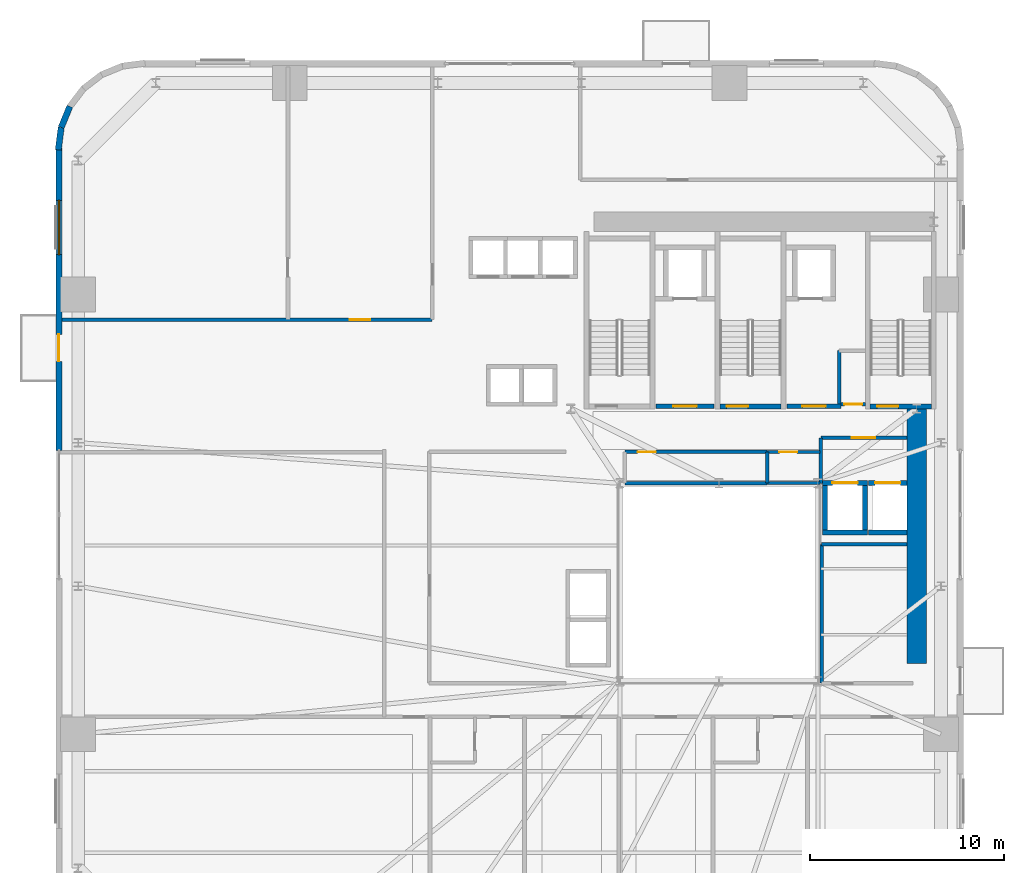
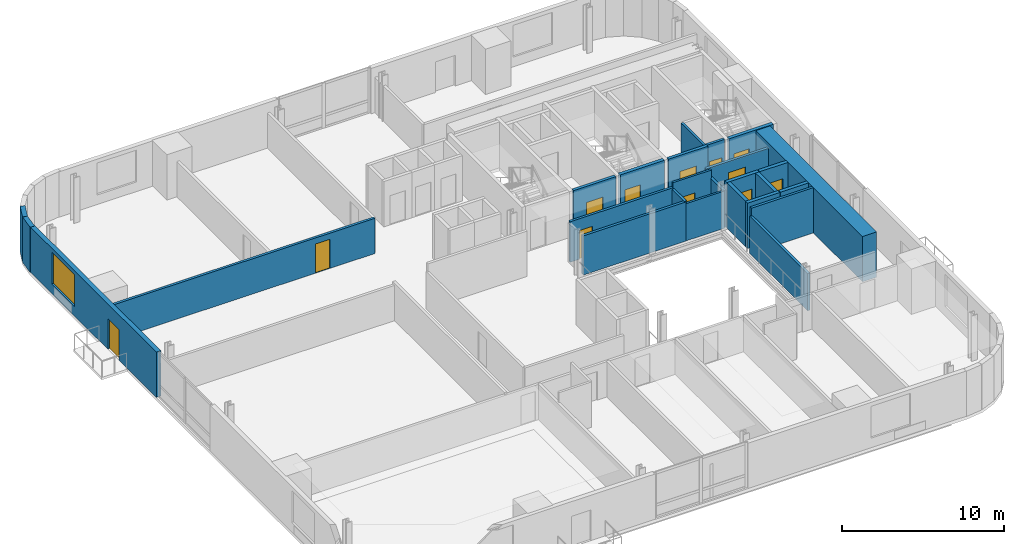
# One storey, part 7 of 13: 26 walls, 12 doors, 1 window, 13 openings.
"""IFC4 building model written with IfcOpenShell, lengths in metres."""

from ifc_helpers import new_model, si_unit, direction, frame, frame_2d, origin, place, context, subcontext, project, spatial, rectangle, extrude, source, transform, mapped, material, layer, layer_set, type_object, element, fill, save


model = new_model("IFC4")

# Units and contexts
model_context = context("Model", 3, precision=1e-05, world=origin(), true_north=direction((0.0, 1.0)))
body_context = subcontext(model_context, "Body", "Model", "MODEL_VIEW")
ifc_project = project(units=[si_unit("LENGTHUNIT", "METRE"), si_unit("AREAUNIT", "SQUARE_METRE"), si_unit("VOLUMEUNIT", "CUBIC_METRE"), si_unit("PLANEANGLEUNIT", "RADIAN"), si_unit("MASSUNIT", "GRAM", prefix="KILO")], contexts=[model_context])

# Site, building, storey
site_placement = place(None, origin())
site = spatial("IfcSite", under=ifc_project, at=site_placement, CompositionType="ELEMENT")
building_placement = place(site_placement, origin())
building = spatial("IfcBuilding", under=site, at=building_placement, Name="Vardaveli Station Tower", CompositionType="ELEMENT")
storey_placement = place(building_placement, frame((0.0, 0.0, 49.5)))
storey = spatial("IfcBuildingStorey", under=building, at=storey_placement, Name="L12", CompositionType="ELEMENT", Elevation=49.5)

# Wall
ifc_material_1 = material(Name="Concrete C60/75", Category="concrete")
ifc_layer_1 = layer(ifc_material_1, 1.0, Name="Concrete C60/75")
ifc_layer_set_1 = layer_set([ifc_layer_1], Name="Concrete C60/75")
wall_type_1 = type_object("IfcWallType", Name="WAL-CORE-1000", PredefinedType="SHEAR", material=ifc_layer_set_1)
shared_shape_1 = source(origin(), body_context, "Body", "SweptSolid", [
    extrude(rectangle(XDim=13.14990234375, YDim=1.0, at=frame_2d((6.574951171875, 0.0))), origin(), (0.0, 0.0, 1.0), 3.409912109375),
])
wall_1_placement = place(storey_placement, frame((46.5, 17.5, 0.0), z_axis=(0.0, 0.0, 1.0), x_axis=(0.0, 1.0, 0.0)))
element("IfcWall", 1, at=wall_1_placement, inside=storey, type_object=wall_type_1, Name="SW-L12-EAST2", PredefinedType="SHEAR", context=body_context, shape_type="MappedRepresentation", body=[
    mapped(shared_shape_1, transform((0.0, 0.0, 0.0), scale=1.0)),
])

# Wall, openings, door, window
ifc_material_2 = material(Name="Precast concrete C45/55", Category="concrete")
ifc_layer_2 = layer(ifc_material_2, 0.320068359375, Name="Precast concrete C45/55")
ifc_layer_set_2 = layer_set([ifc_layer_2], Name="Precast concrete C45/55")
wall_type_2 = type_object("IfcWallType", Name="WAL-EXT-STONE-320", PredefinedType="SOLIDWALL", material=ifc_layer_set_2)
shared_shape_2 = source(origin(), body_context, "Body", "SweptSolid", [
    extrude(rectangle(XDim=15.60009765625, YDim=0.320068359375, at=frame_2d((7.800048828125, 0.0))), origin(), (0.0, 0.0, 1.0), 3.409912109375),
])
wall_2_placement = place(storey_placement, frame((2.260009765625, 44.10009765625, 0.0), z_axis=(0.0, 0.0, 1.0), x_axis=(0.0, -1.0, 0.0)))
wall_2 = element("IfcWall", 2, at=wall_2_placement, inside=storey, type_object=wall_type_2, Name="EW-L12-W1", PredefinedType="SOLIDWALL", context=body_context, shape_type="MappedRepresentation", body=[
    mapped(shared_shape_2, transform((0.0, 0.0, 0.0), scale=1.0)),
])
shared_shape_3 = source(origin(), body_context, "Body", "SweptSolid", [
    extrude(rectangle(XDim=1.39990234375, YDim=2.300048828125, at=frame_2d((0.699951171875, 1.14990234375))), frame((0.0, 0.169921875, 0.0), z_axis=(0.0, -1.0, 0.0), x_axis=(1.0, 0.0, 0.0)), (0.0, 0.0, 1.0), 0.340087890625),
])
opening_1_placement = place(wall_2_placement, frame((9.6103515625, 0.0, 0.0)))
opening_1 = element("IfcOpeningElement", 3, at=opening_1_placement, cuts=wall_2, Name="Opening D-09", PredefinedType="OPENING", context=body_context, shape_type="MappedRepresentation", body=[
    mapped(shared_shape_3, transform((0.0, 0.0, 0.0), scale=1.0)),
])
shared_shape_4 = source(origin(), body_context, "Body", "SweptSolid", [
    extrude(rectangle(XDim=2.800048828125, YDim=2.39990234375, at=frame_2d((1.39990234375, 1.199951171875))), frame((0.0, 0.169921875, 0.0), z_axis=(0.0, -1.0, 0.0), x_axis=(1.0, 0.0, 0.0)), (0.0, 0.0, 1.0), 0.340087890625),
])
opening_2_placement = place(wall_2_placement, frame((2.705078125, 0.0, 0.719970703125)))
opening_2 = element("IfcOpeningElement", 4, at=opening_2_placement, cuts=wall_2, Name="Opening W-04", PredefinedType="OPENING", context=body_context, shape_type="MappedRepresentation", body=[
    mapped(shared_shape_4, transform((0.0, 0.0, 0.0), scale=1.0)),
])
ifc_material_3 = material(Name="Thermally broken aluminium glass", Category="aluminium")
door_type_1 = type_object("IfcDoorType", Name="DR-LOG-1400x2300", OperationType="DOUBLE_DOOR_SLIDING", PredefinedType="DOOR", material=ifc_material_3)
shared_shape_5 = source(origin(), body_context, "Body", "SweptSolid", [
    extrude(rectangle(XDim=1.39990234375, YDim=2.300048828125, at=frame_2d((0.699951171875, 1.14990234375))), frame((0.0, 0.02490234375, 0.0), z_axis=(0.0, -1.0, 0.0), x_axis=(1.0, 0.0, 0.0)), (0.0, 0.0, 1.0), 0.050048828125),
])
door_1_placement = place(opening_1_placement, frame((1.39990234375, 0.0, 0.0), z_axis=(0.0, 0.0, 1.0), x_axis=(-1.0, 0.0, 0.0)))
door_1 = element("IfcDoor", 5, at=door_1_placement, inside=storey, type_object=door_type_1, Name="DLG-L12-W", OperationType="DOUBLE_DOOR_SLIDING", OverallHeight=2.300048828125, OverallWidth=1.39990234375, PredefinedType="DOOR", context=body_context, shape_type="MappedRepresentation", body=[
    mapped(shared_shape_5, transform((0.0, 0.0, 0.0), scale=1.0)),
])
fill(opening_1, door_1)
ifc_material_4 = material(Name="Low-E solar-control glass", Category="glass")
window_type = type_object("IfcWindowType", Name="WIN-SUITE-2800x2400", PartitioningType="SINGLE_PANEL", PredefinedType="WINDOW", material=ifc_material_4)
shared_shape_6 = source(origin(), body_context, "Body", "SweptSolid", [
    extrude(rectangle(XDim=2.800048828125, YDim=2.39990234375, at=frame_2d((1.39990234375, 1.199951171875))), frame((0.0, 0.030029296875, 0.0), z_axis=(0.0, -1.0, 0.0), x_axis=(1.0, 0.0, 0.0)), (0.0, 0.0, 1.0), 0.06005859375),
])
window_placement = place(opening_2_placement, origin())
window = element("IfcWindow", 6, at=window_placement, inside=storey, type_object=window_type, Name="WN-L12-W1", OverallHeight=2.39990234375, OverallWidth=2.800048828125, PartitioningType="SINGLE_PANEL", PredefinedType="WINDOW", context=body_context, shape_type="MappedRepresentation", body=[
    mapped(shared_shape_6, transform((0.0, 0.0, 0.0), scale=1.0)),
])
fill(opening_2, window)

# Walls
shared_shape_7 = source(origin(), body_context, "Body", "SweptSolid", [
    extrude(rectangle(XDim=1.17041015625, YDim=0.320068359375, at=frame_2d((0.585205078125, 0.0))), origin(), (0.0, 0.0, 1.0), 3.409912109375),
])
wall_3_placement = place(storey_placement, frame((2.37451171875, 45.16015625, 0.0), z_axis=(0.0, 0.0, 1.0), x_axis=(-0.128295670475, -0.991735963317, 0.0)))
element("IfcWall", 7, at=wall_3_placement, inside=storey, type_object=wall_type_2, Name="EW-L12-CR4-6", PredefinedType="SOLIDWALL", context=body_context, shape_type="MappedRepresentation", body=[
    mapped(shared_shape_7, transform((0.0, 0.0, 0.0), scale=1.0)),
])
shared_shape_8 = source(origin(), body_context, "Body", "SweptSolid", [
    extrude(rectangle(XDim=1.169189453125, YDim=0.320068359375, at=frame_2d((0.58447265625, 0.0))), origin(), (0.0, 0.0, 1.0), 3.409912109375),
])
wall_4_placement = place(storey_placement, frame((2.820068359375, 46.2412109375, 0.0), z_axis=(0.0, 0.0, 1.0), x_axis=(-0.381054331552, -0.924552646638, 0.0)))
element("IfcWall", 8, at=wall_4_placement, inside=storey, type_object=wall_type_2, Name="EW-L12-CR4-5", PredefinedType="SOLIDWALL", context=body_context, shape_type="MappedRepresentation", body=[
    mapped(shared_shape_8, transform((0.0, 0.0, 0.0), scale=1.0)),
])

# Wall, opening, door
ifc_material_5 = material(Name="Concrete C40/50", Category="concrete")
ifc_layer_3 = layer(ifc_material_5, 0.25, Name="Concrete C40/50")
ifc_layer_set_3 = layer_set([ifc_layer_3], Name="Concrete C40/50")
wall_type_3 = type_object("IfcWallType", Name="WAL-SHAFT-250", PredefinedType="SOLIDWALL", material=ifc_layer_set_3)
shared_shape_9 = source(origin(), body_context, "Body", "SweptSolid", [
    extrude(rectangle(XDim=3.14990234375, YDim=0.25, at=frame_2d((1.574951171875, 0.0))), origin(), (0.0, 0.0, 1.0), 3.449951171875),
])
wall_5_placement = place(storey_placement, frame((36.35009765625, 30.77490234375, 0.0), z_axis=(0.0, 0.0, 1.0), x_axis=(1.0, 0.0, 0.0)))
wall_5 = element("IfcWall", 9, at=wall_5_placement, inside=storey, type_object=wall_type_3, Name="W-L12-ST-2S", PredefinedType="SOLIDWALL", context=body_context, shape_type="MappedRepresentation", body=[
    mapped(shared_shape_9, transform((0.0, 0.0, 0.0), scale=1.0)),
])
shared_shape_10 = source(origin(), body_context, "Body", "SweptSolid", [
    extrude(rectangle(XDim=1.10009765625, YDim=2.199951171875, at=frame_2d((0.550048828125, 1.10009765625))), frame((0.0, 0.135009765625, 0.0), z_axis=(0.0, -1.0, 0.0), x_axis=(1.0, 0.0, 0.0)), (0.0, 0.0, 1.0), 0.27001953125),
])
opening_3_placement = place(wall_5_placement, frame((0.35009765625, 0.0, 0.0)))
opening_3 = element("IfcOpeningElement", 10, at=opening_3_placement, cuts=wall_5, Name="Opening D-04", PredefinedType="OPENING", context=body_context, shape_type="MappedRepresentation", body=[
    mapped(shared_shape_10, transform((0.0, 0.0, 0.0), scale=1.0)),
])
ifc_material_6 = material(Name="Steel smokeproof fire doorset", Category="steel")
door_type_2 = type_object("IfcDoorType", Name="DR-ST-1100x2200", OperationType="NOTDEFINED", PredefinedType="DOOR", material=ifc_material_6)
shared_shape_11 = source(origin(), body_context, "Body", "SweptSolid", [
    extrude(rectangle(XDim=1.10009765625, YDim=2.199951171875, at=frame_2d((0.550048828125, 1.10009765625))), frame((0.0, 0.02490234375, 0.0), z_axis=(0.0, -1.0, 0.0), x_axis=(1.0, 0.0, 0.0)), (0.0, 0.0, 1.0), 0.050048828125),
])
door_2_placement = place(opening_3_placement, origin())
door_2 = element("IfcDoor", 11, at=door_2_placement, inside=storey, type_object=door_type_2, Name="DST-2-L12", OperationType="SINGLE_SWING_LEFT", OverallHeight=2.199951171875, OverallWidth=1.10009765625, PredefinedType="DOOR", context=body_context, shape_type="MappedRepresentation", body=[
    mapped(shared_shape_11, transform((0.0, 0.0, 0.0), scale=1.0)),
])
fill(opening_3, door_2)

wall_6_placement = place(storey_placement, frame((44.10009765625, 30.77490234375, 0.0), z_axis=(0.0, 0.0, 1.0), x_axis=(1.0, 0.0, 0.0)))
wall_6 = element("IfcWall", 12, at=wall_6_placement, inside=storey, type_object=wall_type_3, Name="W-L12-ST-3S", PredefinedType="SOLIDWALL", context=body_context, shape_type="MappedRepresentation", body=[
    mapped(shared_shape_9, transform((0.0, 0.0, 0.0), scale=1.0)),
])
opening_4_placement = place(wall_6_placement, frame((0.35009765625, 0.0, 0.0)))
opening_4 = element("IfcOpeningElement", 13, at=opening_4_placement, cuts=wall_6, Name="Opening D-04", PredefinedType="OPENING", context=body_context, shape_type="MappedRepresentation", body=[
    mapped(shared_shape_10, transform((0.0, 0.0, 0.0), scale=1.0)),
])
door_3_placement = place(opening_4_placement, origin())
door_3 = element("IfcDoor", 14, at=door_3_placement, inside=storey, type_object=door_type_2, Name="DST-3-L12", OperationType="SINGLE_SWING_LEFT", OverallHeight=2.199951171875, OverallWidth=1.10009765625, PredefinedType="DOOR", context=body_context, shape_type="MappedRepresentation", body=[
    mapped(shared_shape_11, transform((0.0, 0.0, 0.0), scale=1.0)),
])
fill(opening_4, door_3)

ifc_layer_4 = layer(ifc_material_5, 0.219970703125, Name="Concrete C40/50")
ifc_layer_set_4 = layer_set([ifc_layer_4], Name="Concrete C40/50")
wall_type_4 = type_object("IfcWallType", Name="WAL-FFLOBBY-220", PredefinedType="SOLIDWALL", material=ifc_layer_set_4)
shared_shape_12 = source(origin(), body_context, "Body", "SweptSolid", [
    extrude(rectangle(XDim=3.0, YDim=0.219970703125, at=frame_2d((1.5, 0.0))), origin(), (0.0, 0.0, 1.0), 3.409912109375),
])
wall_7_placement = place(storey_placement, frame((33.050048828125, 30.780029296875, 0.0), z_axis=(0.0, 0.0, 1.0), x_axis=(1.0, 0.0, 0.0)))
wall_7 = element("IfcWall", 15, at=wall_7_placement, inside=storey, type_object=wall_type_4, Name="W-L12-FFL1S", PredefinedType="SOLIDWALL", context=body_context, shape_type="MappedRepresentation", body=[
    mapped(shared_shape_12, transform((0.0, 0.0, 0.0), scale=1.0)),
])
shared_shape_13 = source(origin(), body_context, "Body", "SweptSolid", [
    extrude(rectangle(XDim=1.199951171875, YDim=2.199951171875, at=frame_2d((0.60009765625, 1.10009765625))), frame((0.0, 0.1201171875, 0.0), z_axis=(0.0, -1.0, 0.0), x_axis=(1.0, 0.0, 0.0)), (0.0, 0.0, 1.0), 0.239990234375),
])
opening_5_placement = place(wall_7_placement, frame((0.89990234375, 0.0, 0.0)))
opening_5 = element("IfcOpeningElement", 16, at=opening_5_placement, cuts=wall_7, Name="Opening D-03", PredefinedType="OPENING", context=body_context, shape_type="MappedRepresentation", body=[
    mapped(shared_shape_13, transform((0.0, 0.0, 0.0), scale=1.0)),
])
door_type_3 = type_object("IfcDoorType", Name="DR-FFL-1200x2200", OperationType="NOTDEFINED", PredefinedType="DOOR", material=ifc_material_6)
shared_shape_14 = source(origin(), body_context, "Body", "SweptSolid", [
    extrude(rectangle(XDim=1.199951171875, YDim=2.199951171875, at=frame_2d((0.60009765625, 1.10009765625))), frame((0.0, 0.02490234375, 0.0), z_axis=(0.0, -1.0, 0.0), x_axis=(1.0, 0.0, 0.0)), (0.0, 0.0, 1.0), 0.050048828125),
])
door_4_placement = place(opening_5_placement, origin())
door_4 = element("IfcDoor", 17, at=door_4_placement, inside=storey, type_object=door_type_3, Name="DFFL1-L12", OperationType="SINGLE_SWING_LEFT", OverallHeight=2.199951171875, OverallWidth=1.199951171875, PredefinedType="DOOR", context=body_context, shape_type="MappedRepresentation", body=[
    mapped(shared_shape_14, transform((0.0, 0.0, 0.0), scale=1.0)),
])
fill(opening_5, door_4)

shared_shape_15 = source(origin(), body_context, "Body", "SweptSolid", [
    extrude(rectangle(XDim=2.800048828125, YDim=0.219970703125, at=frame_2d((1.39990234375, 0.0))), origin(), (0.0, 0.0, 1.0), 3.409912109375),
])
wall_8_placement = place(storey_placement, frame((39.800048828125, 30.780029296875, 0.0), z_axis=(0.0, 0.0, 1.0), x_axis=(1.0, 0.0, 0.0)))
wall_8 = element("IfcWall", 18, at=wall_8_placement, inside=storey, type_object=wall_type_4, Name="W-L12-FFL2S", PredefinedType="SOLIDWALL", context=body_context, shape_type="MappedRepresentation", body=[
    mapped(shared_shape_15, transform((0.0, 0.0, 0.0), scale=1.0)),
])
opening_6_placement = place(wall_8_placement, frame((0.800048828125, 0.0, 0.0)))
opening_6 = element("IfcOpeningElement", 19, at=opening_6_placement, cuts=wall_8, Name="Opening D-03", PredefinedType="OPENING", context=body_context, shape_type="MappedRepresentation", body=[
    mapped(shared_shape_13, transform((0.0, 0.0, 0.0), scale=1.0)),
])
door_5_placement = place(opening_6_placement, origin())
door_5 = element("IfcDoor", 20, at=door_5_placement, inside=storey, type_object=door_type_3, Name="DFFL2-L12", OperationType="SINGLE_SWING_RIGHT", OverallHeight=2.199951171875, OverallWidth=1.199951171875, PredefinedType="DOOR", context=body_context, shape_type="MappedRepresentation", body=[
    mapped(shared_shape_14, transform((0.0, 0.0, 0.0), scale=1.0)),
])
fill(opening_6, door_5)

# Wall
shared_shape_16 = source(origin(), body_context, "Body", "SweptSolid", [
    extrude(rectangle(XDim=2.300048828125, YDim=0.25, at=frame_2d((1.14990234375, 0.0))), origin(), (0.0, 0.0, 1.0), 3.409912109375),
])
wall_9_placement = place(storey_placement, frame((41.64990234375, 24.27490234375, 0.0), z_axis=(0.0, 0.0, 1.0), x_axis=(1.0, 0.0, 0.0)))
element("IfcWall", 21, at=wall_9_placement, inside=storey, type_object=wall_type_3, Name="SHW-SRV-01-L12-S", PredefinedType="SOLIDWALL", context=body_context, shape_type="MappedRepresentation", body=[
    mapped(shared_shape_16, transform((0.0, 0.0, 0.0), scale=1.0)),
])

# Wall, opening, door
wall_10_placement = place(storey_placement, frame((41.64990234375, 26.824951171875, 0.0), z_axis=(0.0, 0.0, 1.0), x_axis=(1.0, 0.0, 0.0)))
wall_10 = element("IfcWall", 22, at=wall_10_placement, inside=storey, type_object=wall_type_3, Name="SHW-SRV-01-L12-N", PredefinedType="SOLIDWALL", context=body_context, shape_type="MappedRepresentation", body=[
    mapped(shared_shape_16, transform((0.0, 0.0, 0.0), scale=1.0)),
])
shared_shape_17 = source(origin(), body_context, "Body", "SweptSolid", [
    extrude(rectangle(XDim=1.300048828125, YDim=2.300048828125, at=frame_2d((0.64990234375, 1.14990234375))), frame((0.0, 0.135009765625, 0.0), z_axis=(0.0, -1.0, 0.0), x_axis=(1.0, 0.0, 0.0)), (0.0, 0.0, 1.0), 0.27001953125),
])
opening_7_placement = place(wall_10_placement, frame((0.5, 0.0, 0.0)))
opening_7 = element("IfcOpeningElement", 23, at=opening_7_placement, cuts=wall_10, Name="Opening LD-03", PredefinedType="OPENING", context=body_context, shape_type="MappedRepresentation", body=[
    mapped(shared_shape_17, transform((0.0, 0.0, 0.0), scale=1.0)),
])
ifc_material_7 = material(Name="Brushed stainless steel", Category="steel")
door_type_4 = type_object("IfcDoorType", Name="DR-LD-1300x2300", OperationType="DOUBLE_DOOR_SLIDING", PredefinedType="DOOR", material=ifc_material_7)
shared_shape_18 = source(origin(), body_context, "Body", "SweptSolid", [
    extrude(rectangle(XDim=1.300048828125, YDim=2.300048828125, at=frame_2d((0.64990234375, 1.14990234375))), frame((0.0, 0.02490234375, 0.0), z_axis=(0.0, -1.0, 0.0), x_axis=(1.0, 0.0, 0.0)), (0.0, 0.0, 1.0), 0.050048828125),
])
door_6_placement = place(opening_7_placement, origin())
door_6 = element("IfcDoor", 24, at=door_6_placement, inside=storey, type_object=door_type_4, Name="LD-SRV-01-L12", OperationType="DOUBLE_DOOR_SLIDING", OverallHeight=2.300048828125, OverallWidth=1.300048828125, PredefinedType="DOOR", context=body_context, shape_type="MappedRepresentation", body=[
    mapped(shared_shape_18, transform((0.0, 0.0, 0.0), scale=1.0)),
])
fill(opening_7, door_6)

# Walls
for number, where, z_axis, x_axis, name in (
    (25, (41.77490234375, 24.39990234375, 0.0), (0.0, 0.0, 1.0), (0.0, 1.0, 0.0), "SHW-SRV-01-L12-W"),
    (26, (43.824951171875, 24.39990234375, 0.0), (0.0, 0.0, 1.0), (0.0, 1.0, 0.0), "SHW-SRV-01-L12-E"),
):
    element("IfcWall", number, at=place(storey_placement, frame(where, z_axis=z_axis, x_axis=x_axis)), inside=storey, type_object=wall_type_3, Name=name, PredefinedType="SOLIDWALL", context=body_context, shape_type="MappedRepresentation", body=[
        mapped(shared_shape_16, transform((0.0, 0.0, 0.0), scale=1.0)),
    ])
shared_shape_19 = source(origin(), body_context, "Body", "SweptSolid", [
    extrude(rectangle(XDim=2.0, YDim=0.25, at=frame_2d((1.0, 0.0))), origin(), (0.0, 0.0, 1.0), 3.409912109375),
])
wall_11_placement = place(storey_placement, frame((44.0, 24.27490234375, 0.0), z_axis=(0.0, 0.0, 1.0), x_axis=(1.0, 0.0, 0.0)))
element("IfcWall", 27, at=wall_11_placement, inside=storey, type_object=wall_type_3, Name="SHW-SRV-02-L12-S", PredefinedType="SOLIDWALL", context=body_context, shape_type="MappedRepresentation", body=[
    mapped(shared_shape_19, transform((0.0, 0.0, 0.0), scale=1.0)),
])

# Wall, opening, door
wall_12_placement = place(storey_placement, frame((44.0, 26.824951171875, 0.0), z_axis=(0.0, 0.0, 1.0), x_axis=(1.0, 0.0, 0.0)))
wall_12 = element("IfcWall", 28, at=wall_12_placement, inside=storey, type_object=wall_type_3, Name="SHW-SRV-02-L12-N", PredefinedType="SOLIDWALL", context=body_context, shape_type="MappedRepresentation", body=[
    mapped(shared_shape_19, transform((0.0, 0.0, 0.0), scale=1.0)),
])
opening_8_placement = place(wall_12_placement, frame((0.35009765625, 0.0, 0.0)))
opening_8 = element("IfcOpeningElement", 29, at=opening_8_placement, cuts=wall_12, Name="Opening LD-03", PredefinedType="OPENING", context=body_context, shape_type="MappedRepresentation", body=[
    mapped(shared_shape_17, transform((0.0, 0.0, 0.0), scale=1.0)),
])
door_7_placement = place(opening_8_placement, origin())
door_7 = element("IfcDoor", 30, at=door_7_placement, inside=storey, type_object=door_type_4, Name="LD-SRV-02-L12", OperationType="DOUBLE_DOOR_SLIDING", OverallHeight=2.300048828125, OverallWidth=1.300048828125, PredefinedType="DOOR", context=body_context, shape_type="MappedRepresentation", body=[
    mapped(shared_shape_18, transform((0.0, 0.0, 0.0), scale=1.0)),
])
fill(opening_8, door_7)

ifc_material_8 = material(Name="Fire-rated gypsum stud partition")
ifc_layer_5 = layer(ifc_material_8, 0.179931640625, Name="Fire-rated gypsum stud partition")
ifc_layer_set_5 = layer_set([ifc_layer_5], Name="Fire-rated gypsum stud partition")
wall_type_5 = type_object("IfcWallType", Name="WAL-CORR-180", PredefinedType="PARTITIONING", material=ifc_layer_set_5)
shared_shape_20 = source(origin(), body_context, "Body", "SweptSolid", [
    extrude(rectangle(XDim=7.330078125, YDim=0.179931640625, at=frame_2d((3.6650390625, 0.0))), origin(), (0.0, 0.0, 1.0), 3.0419921875),
])
wall_13_placement = place(storey_placement, frame((31.449951171875, 28.419921875, 0.0), z_axis=(0.0, 0.0, 1.0), x_axis=(1.0, 0.0, 0.0)))
wall_13 = element("IfcWall", 31, at=wall_13_placement, inside=storey, type_object=wall_type_5, Name="W-L12-HKP0-N", PredefinedType="PARTITIONING", context=body_context, shape_type="MappedRepresentation", body=[
    mapped(shared_shape_20, transform((0.0, 0.0, 0.0), scale=1.0)),
])
shared_shape_21 = source(origin(), body_context, "Body", "SweptSolid", [
    extrude(rectangle(XDim=0.949951171875, YDim=2.14990234375, at=frame_2d((0.47509765625, 1.074951171875))), frame((0.0, 0.10009765625, 0.0), z_axis=(0.0, -1.0, 0.0), x_axis=(1.0, 0.0, 0.0)), (0.0, 0.0, 1.0), 0.199951171875),
])
opening_9_placement = place(wall_13_placement, frame((0.64990234375, 0.0, 0.0)))
opening_9 = element("IfcOpeningElement", 32, at=opening_9_placement, cuts=wall_13, Name="Opening D-06", PredefinedType="OPENING", context=body_context, shape_type="MappedRepresentation", body=[
    mapped(shared_shape_21, transform((0.0, 0.0, 0.0), scale=1.0)),
])
ifc_material_9 = material(Name="Oak veneer acoustic fire door")
door_type_5 = type_object("IfcDoorType", Name="DR-GUEST-950x2150", OperationType="NOTDEFINED", PredefinedType="DOOR", material=ifc_material_9)
shared_shape_22 = source(origin(), body_context, "Body", "SweptSolid", [
    extrude(rectangle(XDim=0.949951171875, YDim=2.14990234375, at=frame_2d((0.47509765625, 1.074951171875))), frame((0.0, 0.02490234375, 0.0), z_axis=(0.0, -1.0, 0.0), x_axis=(1.0, 0.0, 0.0)), (0.0, 0.0, 1.0), 0.050048828125),
])
door_8_placement = place(opening_9_placement, origin())
door_8 = element("IfcDoor", 33, at=door_8_placement, inside=storey, type_object=door_type_5, Name="D-L12-HKP", OperationType="SINGLE_SWING_LEFT", OverallHeight=2.14990234375, OverallWidth=0.949951171875, PredefinedType="DOOR", context=body_context, shape_type="MappedRepresentation", body=[
    mapped(shared_shape_22, transform((0.0, 0.0, 0.0), scale=1.0)),
])
fill(opening_9, door_8)

shared_shape_23 = source(origin(), body_context, "Body", "SweptSolid", [
    extrude(rectangle(XDim=4.447998046875, YDim=0.179931640625, at=frame_2d((2.22412109375, 0.0))), origin(), (0.0, 0.0, 1.0), 3.0419921875),
])
wall_14_placement = place(storey_placement, frame((41.550048828125, 29.14990234375, 0.0), z_axis=(0.0, 0.0, 1.0), x_axis=(1.0, 0.0, 0.0)))
wall_14 = element("IfcWall", 34, at=wall_14_placement, inside=storey, type_object=wall_type_5, Name="W-L12-SVFN", PredefinedType="PARTITIONING", context=body_context, shape_type="MappedRepresentation", body=[
    mapped(shared_shape_23, transform((0.0, 0.0, 0.0), scale=1.0)),
])
shared_shape_24 = source(origin(), body_context, "Body", "SweptSolid", [
    extrude(rectangle(XDim=1.199951171875, YDim=2.199951171875, at=frame_2d((0.60009765625, 1.10009765625))), frame((0.0, 0.10009765625, 0.0), z_axis=(0.0, -1.0, 0.0), x_axis=(1.0, 0.0, 0.0)), (0.0, 0.0, 1.0), 0.199951171875),
])
opening_10_placement = place(wall_14_placement, frame((1.60009765625, 0.0, 0.0)))
opening_10 = element("IfcOpeningElement", 35, at=opening_10_placement, cuts=wall_14, Name="Opening D-03", PredefinedType="OPENING", context=body_context, shape_type="MappedRepresentation", body=[
    mapped(shared_shape_24, transform((0.0, 0.0, 0.0), scale=1.0)),
])
door_9_placement = place(opening_10_placement, origin())
door_9 = element("IfcDoor", 36, at=door_9_placement, inside=storey, type_object=door_type_3, Name="D-L12-SVF", OperationType="SINGLE_SWING_RIGHT", OverallHeight=2.199951171875, OverallWidth=1.199951171875, PredefinedType="DOOR", context=body_context, shape_type="MappedRepresentation", body=[
    mapped(shared_shape_14, transform((0.0, 0.0, 0.0), scale=1.0)),
])
fill(opening_10, door_9)

ifc_material_10 = material(Name="Moisture-resistant stud partition")
ifc_layer_6 = layer(ifc_material_10, 0.14990234375, Name="Moisture-resistant stud partition")
ifc_layer_set_6 = layer_set([ifc_layer_6], Name="Moisture-resistant stud partition")
wall_type_6 = type_object("IfcWallType", Name="WAL-WET-150", PredefinedType="PARTITIONING", material=ifc_layer_set_6)
shared_shape_25 = source(origin(), body_context, "Body", "SweptSolid", [
    extrude(rectangle(XDim=2.739990234375, YDim=0.14990234375, at=frame_2d((1.3701171875, 0.0))), origin(), (0.0, 0.0, 1.0), 3.409912109375),
])
wall_15_placement = place(storey_placement, frame((38.780029296875, 28.419921875, 0.0), z_axis=(0.0, 0.0, 1.0), x_axis=(1.0, 0.0, 0.0)))
wall_15 = element("IfcWall", 37, at=wall_15_placement, inside=storey, type_object=wall_type_6, Name="W-L12-WCA0-N", PredefinedType="PARTITIONING", context=body_context, shape_type="MappedRepresentation", body=[
    mapped(shared_shape_25, transform((0.0, 0.0, 0.0), scale=1.0)),
])
shared_shape_26 = source(origin(), body_context, "Body", "SweptSolid", [
    extrude(rectangle(XDim=0.919921875, YDim=2.10009765625, at=frame_2d((0.4599609375, 1.050048828125))), frame((0.0, 0.0849609375, 0.0), z_axis=(0.0, -1.0, 0.0), x_axis=(1.0, 0.0, 0.0)), (0.0, 0.0, 1.0), 0.169921875),
])
opening_11_placement = place(wall_15_placement, frame((0.6298828125, 0.0, 0.0)))
opening_11 = element("IfcOpeningElement", 38, at=opening_11_placement, cuts=wall_15, Name="Opening D-07", PredefinedType="OPENING", context=body_context, shape_type="MappedRepresentation", body=[
    mapped(shared_shape_26, transform((0.0, 0.0, 0.0), scale=1.0)),
])
ifc_material_11 = material(Name="Moisture-resistant hardwood door", Category="wood")
door_type_6 = type_object("IfcDoorType", Name="DR-WC-920x2100", OperationType="NOTDEFINED", PredefinedType="DOOR", material=ifc_material_11)
shared_shape_27 = source(origin(), body_context, "Body", "SweptSolid", [
    extrude(rectangle(XDim=0.919921875, YDim=2.10009765625, at=frame_2d((0.4599609375, 1.050048828125))), frame((0.0, 0.02490234375, 0.0), z_axis=(0.0, -1.0, 0.0), x_axis=(1.0, 0.0, 0.0)), (0.0, 0.0, 1.0), 0.050048828125),
])
door_10_placement = place(opening_11_placement, origin())
door_10 = element("IfcDoor", 39, at=door_10_placement, inside=storey, type_object=door_type_6, Name="D-L12-WCA", OperationType="SINGLE_SWING_RIGHT", OverallHeight=2.10009765625, OverallWidth=0.919921875, PredefinedType="DOOR", context=body_context, shape_type="MappedRepresentation", body=[
    mapped(shared_shape_27, transform((0.0, 0.0, 0.0), scale=1.0)),
])
fill(opening_11, door_10)

shared_shape_28 = source(origin(), body_context, "Body", "SweptSolid", [
    extrude(rectangle(XDim=1.247802734375, YDim=0.179931640625, at=frame_2d((0.6240234375, 0.0))), origin(), (0.0, 0.0, 1.0), 3.409912109375),
])
wall_16_placement = place(storey_placement, frame((42.60009765625, 30.8798828125, 0.0), z_axis=(0.0, 0.0, 1.0), x_axis=(1.0, 0.0, 0.0)))
wall_16 = element("IfcWall", 40, at=wall_16_placement, inside=storey, type_object=wall_type_5, Name="W-L12-CBS0-S", PredefinedType="PARTITIONING", context=body_context, shape_type="MappedRepresentation", body=[
    mapped(shared_shape_28, transform((0.0, 0.0, 0.0), scale=1.0)),
])
shared_shape_29 = source(origin(), body_context, "Body", "SweptSolid", [
    extrude(rectangle(XDim=0.919921875, YDim=2.10009765625, at=frame_2d((0.4599609375, 1.050048828125))), frame((0.0, 0.10009765625, 0.0), z_axis=(0.0, -1.0, 0.0), x_axis=(1.0, 0.0, 0.0)), (0.0, 0.0, 1.0), 0.199951171875),
])
opening_12_placement = place(wall_16_placement, frame((0.1640625, 0.0, 0.0)))
opening_12 = element("IfcOpeningElement", 41, at=opening_12_placement, cuts=wall_16, Name="Opening D-07", PredefinedType="OPENING", context=body_context, shape_type="MappedRepresentation", body=[
    mapped(shared_shape_29, transform((0.0, 0.0, 0.0), scale=1.0)),
])
door_11_placement = place(opening_12_placement, origin())
door_11 = element("IfcDoor", 42, at=door_11_placement, inside=storey, type_object=door_type_6, Name="D-L12-CBS0", OperationType="SINGLE_SWING_LEFT", OverallHeight=2.10009765625, OverallWidth=0.919921875, PredefinedType="DOOR", context=body_context, shape_type="MappedRepresentation", body=[
    mapped(shared_shape_27, transform((0.0, 0.0, 0.0), scale=1.0)),
])
fill(opening_12, door_11)

# Walls
shared_shape_30 = source(origin(), body_context, "Body", "SweptSolid", [
    extrude(rectangle(XDim=7.330078125, YDim=0.179931640625, at=frame_2d((3.6650390625, 0.0))), origin(), (0.0, 0.0, 1.0), 2.951904296875),
])
wall_17_placement = place(storey_placement, frame((31.449951171875, 26.820068359375, 0.0), z_axis=(0.0, 0.0, 1.0), x_axis=(1.0, 0.0, 0.0)))
element("IfcWall", 43, at=wall_17_placement, inside=storey, type_object=wall_type_5, Name="W-L12-HKP0-S", PredefinedType="PARTITIONING", context=body_context, shape_type="MappedRepresentation", body=[
    mapped(shared_shape_30, transform((0.0, 0.0, 0.0), scale=1.0)),
])
shared_shape_31 = source(origin(), body_context, "Body", "SweptSolid", [
    extrude(rectangle(XDim=7.14990234375, YDim=0.179931640625, at=frame_2d((3.574951171875, 0.0))), origin(), (0.0, 0.0, 1.0), 2.802001953125),
])
wall_18_placement = place(storey_placement, frame((41.60009765625, 16.5, 0.0), z_axis=(0.0, 0.0, 1.0), x_axis=(0.0, 1.0, 0.0)))
element("IfcWall", 44, at=wall_18_placement, inside=storey, type_object=wall_type_5, Name="W-L12-ATE-W", PredefinedType="PARTITIONING", context=body_context, shape_type="MappedRepresentation", body=[
    mapped(shared_shape_31, transform((0.0, 0.0, 0.0), scale=1.0)),
])
shared_shape_32 = source(origin(), body_context, "Body", "SweptSolid", [
    extrude(rectangle(XDim=4.39794921875, YDim=0.179931640625, at=frame_2d((2.198974609375, 0.0))), origin(), (0.0, 0.0, 1.0), 3.409912109375),
])
wall_19_placement = place(storey_placement, frame((41.60009765625, 23.64990234375, 0.0), z_axis=(0.0, 0.0, 1.0), x_axis=(1.0, 0.0, 0.0)))
element("IfcWall", 45, at=wall_19_placement, inside=storey, type_object=wall_type_5, Name="W-L12-ATE-N", PredefinedType="PARTITIONING", context=body_context, shape_type="MappedRepresentation", body=[
    mapped(shared_shape_32, transform((0.0, 0.0, 0.0), scale=1.0)),
])
shared_shape_33 = source(origin(), body_context, "Body", "SweptSolid", [
    extrude(rectangle(XDim=2.7578125, YDim=0.179931640625, at=frame_2d((1.37890625, 0.0))), origin(), (0.0, 0.0, 1.0), 3.409912109375),
])
wall_20_placement = place(storey_placement, frame((42.5, 30.89208984375, 0.0), z_axis=(0.0, 0.0, 1.0), x_axis=(0.0, 1.0, 0.0)))
element("IfcWall", 46, at=wall_20_placement, inside=storey, type_object=wall_type_5, Name="W-L12-CBS0-W", PredefinedType="PARTITIONING", context=body_context, shape_type="MappedRepresentation", body=[
    mapped(shared_shape_33, transform((0.0, 0.0, 0.0), scale=1.0)),
])
shared_shape_34 = source(origin(), body_context, "Body", "SweptSolid", [
    extrude(rectangle(XDim=2.739990234375, YDim=0.14990234375, at=frame_2d((1.3701171875, 0.0))), origin(), (0.0, 0.0, 1.0), 2.802001953125),
])
wall_21_placement = place(storey_placement, frame((38.780029296875, 26.820068359375, 0.0), z_axis=(0.0, 0.0, 1.0), x_axis=(1.0, 0.0, 0.0)))
element("IfcWall", 47, at=wall_21_placement, inside=storey, type_object=wall_type_6, Name="W-L12-WCA0-S", PredefinedType="PARTITIONING", context=body_context, shape_type="MappedRepresentation", body=[
    mapped(shared_shape_34, transform((0.0, 0.0, 0.0), scale=1.0)),
])
shared_shape_35 = source(origin(), body_context, "Body", "SweptSolid", [
    extrude(rectangle(XDim=2.349853515625, YDim=0.179931640625, at=frame_2d((1.1748046875, 0.0))), origin(), (0.0, 0.0, 1.0), 2.802001953125),
])
wall_22_placement = place(storey_placement, frame((41.550048828125, 26.800048828125, 0.0), z_axis=(0.0, 0.0, 1.0), x_axis=(0.0, 1.0, 0.0)))
element("IfcWall", 48, at=wall_22_placement, inside=storey, type_object=wall_type_5, Name="W-L12-SVFW", PredefinedType="PARTITIONING", context=body_context, shape_type="MappedRepresentation", body=[
    mapped(shared_shape_35, transform((0.0, 0.0, 0.0), scale=1.0)),
])
shared_shape_36 = source(origin(), body_context, "Body", "SweptSolid", [
    extrude(rectangle(XDim=1.599853515625, YDim=0.179931640625, at=frame_2d((0.7998046875, 0.0))), origin(), (0.0, 0.0, 1.0), 2.951904296875),
])
wall_23_placement = place(storey_placement, frame((38.780029296875, 26.820068359375, 0.0), z_axis=(0.0, 0.0, 1.0), x_axis=(0.0, 1.0, 0.0)))
element("IfcWall", 49, at=wall_23_placement, inside=storey, type_object=wall_type_5, Name="W-L12-HKP0-E", PredefinedType="PARTITIONING", context=body_context, shape_type="MappedRepresentation", body=[
    mapped(shared_shape_36, transform((0.0, 0.0, 0.0), scale=1.0)),
])

# Wall, opening, door
shared_shape_37 = source(origin(), body_context, "Body", "SweptSolid", [
    extrude(rectangle(XDim=19.077880859375, YDim=0.179931640625, at=frame_2d((9.5390625, 0.0))), origin(), (0.0, 0.0, 1.0), 2.652099609375),
])
wall_24_placement = place(storey_placement, frame((2.422119140625, 35.25, 0.0), z_axis=(0.0, 0.0, 1.0), x_axis=(1.0, 0.0, 0.0)))
wall_24 = element("IfcWall", 50, at=wall_24_placement, inside=storey, type_object=wall_type_5, Name="W-L12-CNWS", PredefinedType="PARTITIONING", context=body_context, shape_type="MappedRepresentation", body=[
    mapped(shared_shape_37, transform((0.0, 0.0, 0.0), scale=1.0)),
])
shared_shape_38 = source(origin(), body_context, "Body", "SweptSolid", [
    extrude(rectangle(XDim=1.050048828125, YDim=2.199951171875, at=frame_2d((0.52490234375, 1.10009765625))), frame((0.0, 0.10009765625, 0.0), z_axis=(0.0, -1.0, 0.0), x_axis=(1.0, 0.0, 0.0)), (0.0, 0.0, 1.0), 0.199951171875),
])
opening_13_placement = place(wall_24_placement, frame((14.84326171875, 0.0, 0.0)))
opening_13 = element("IfcOpeningElement", 51, at=opening_13_placement, cuts=wall_24, Name="Opening D-05", PredefinedType="OPENING", context=body_context, shape_type="MappedRepresentation", body=[
    mapped(shared_shape_38, transform((0.0, 0.0, 0.0), scale=1.0)),
])
ifc_material_12 = material(Name="Walnut veneer acoustic fire door")
door_type_7 = type_object("IfcDoorType", Name="DR-SUITE-1050x2200", OperationType="NOTDEFINED", PredefinedType="DOOR", material=ifc_material_12)
shared_shape_39 = source(origin(), body_context, "Body", "SweptSolid", [
    extrude(rectangle(XDim=1.050048828125, YDim=2.199951171875, at=frame_2d((0.52490234375, 1.10009765625))), frame((0.0, 0.02490234375, 0.0), z_axis=(0.0, -1.0, 0.0), x_axis=(1.0, 0.0, 0.0)), (0.0, 0.0, 1.0), 0.050048828125),
])
door_12_placement = place(opening_13_placement, origin())
door_12 = element("IfcDoor", 52, at=door_12_placement, inside=storey, type_object=door_type_7, Name="D-L12-GNW2", OperationType="SINGLE_SWING_LEFT", OverallHeight=2.199951171875, OverallWidth=1.050048828125, PredefinedType="DOOR", context=body_context, shape_type="MappedRepresentation", body=[
    mapped(shared_shape_39, transform((0.0, 0.0, 0.0), scale=1.0)),
])
fill(opening_13, door_12)

save(model, "model.ifc")
